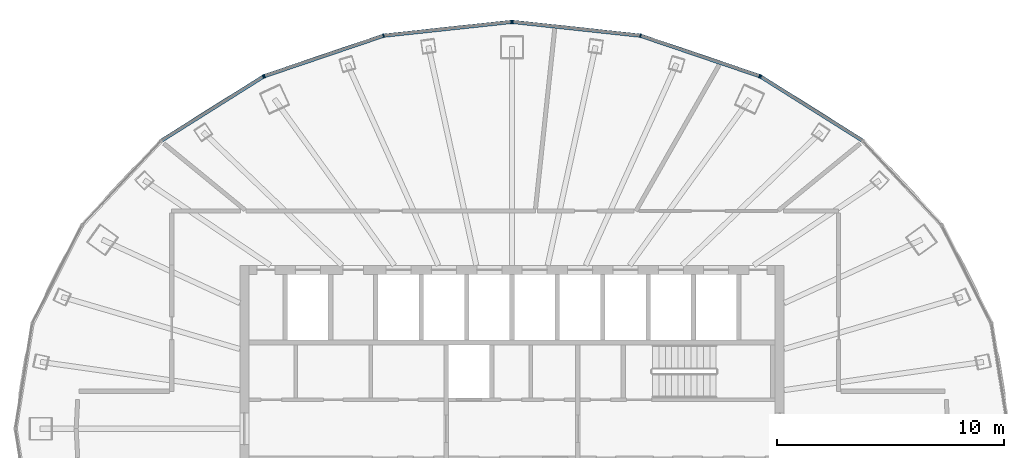
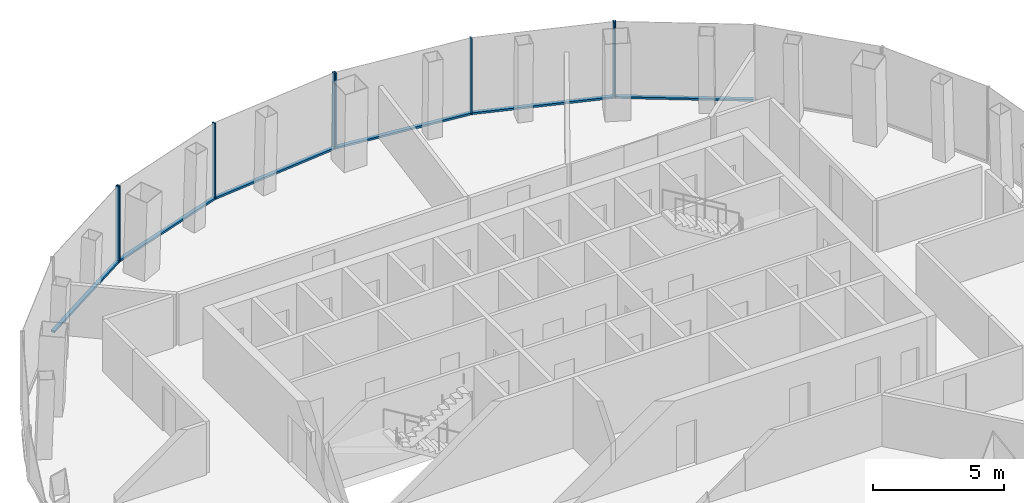
# One storey, part 6 of 11: 14 members, 4 elements without a shape of their own.
"""IFC4 building model written with IfcOpenShell, lengths in metres."""

from ifc_helpers import new_model, si_unit, direction, frame, origin, origin_2d, place, context, subcontext, project, spatial, rectangle, extrude, material, layer, layer_set, material_profile, profile_set, type_object, element, aggregate, save


model = new_model("IFC4")

# Units and contexts
model_context = context("Model", 3, precision=1e-05, world=origin(), true_north=direction((0.0, 1.0)))
body_context = subcontext(model_context, "Body", "Model", "MODEL_VIEW")
ifc_project = project(units=[si_unit("LENGTHUNIT", "METRE"), si_unit("AREAUNIT", "SQUARE_METRE"), si_unit("VOLUMEUNIT", "CUBIC_METRE"), si_unit("PLANEANGLEUNIT", "RADIAN"), si_unit("MASSUNIT", "GRAM", prefix="KILO")], contexts=[model_context])

# Site, building, storey
site_placement = place(None, origin())
site = spatial("IfcSite", under=ifc_project, at=site_placement, CompositionType="ELEMENT")
building_placement = place(site_placement, origin())
building = spatial("IfcBuilding", under=site, at=building_placement, Name="Siaravel Broadcast Tower", CompositionType="ELEMENT")
storey_placement = place(building_placement, frame((0.0, 0.0, 220.800048828125)))
storey = spatial("IfcBuildingStorey", under=building, at=storey_placement, Name="L53", CompositionType="ELEMENT", Elevation=220.800048828125)

# Curtain wall, member
ifc_material = material(Name="Aluminium 6063-T6", Category="aluminium")
ifc_layer = layer(ifc_material, 0.159912109375)
ifc_layer_set = layer_set([ifc_layer], Name="Aluminium 6063-T6")
curtain_wall_type = type_object("IfcCurtainWallType", Name="Unitised curtain wall, zone 4", PredefinedType="NOTDEFINED", material=ifc_layer_set)
curtain_wall_1_placement = place(storey_placement, origin())
curtain_wall_1 = element("IfcCurtainWall", 1, at=curtain_wall_1_placement, inside=storey, type_object=curtain_wall_type, Name="L53 Unitised curtain wall, zone 4 02", PredefinedType="NOTDEFINED")
ifc_material_profile_1 = material_profile(ifc_material, rectangle(XDim=0.159912109375, YDim=0.054931640625, at=origin_2d()))
ifc_profile_set_1 = profile_set([ifc_material_profile_1], Name="Aluminium 6063-T6")
member_type_1 = type_object("IfcMemberType", Name="CW-Z4 mullion", PredefinedType="MULLION", material=ifc_profile_set_1)
member_1_placement = place(storey_placement, frame((10.962890625, 15.5205078125, 0.0), z_axis=(0.0, 0.0, 1.0), x_axis=(-0.53215013, -0.84665001, 0.0)))
member_1 = element("IfcMember", 2, at=member_1_placement, type_object=member_type_1, Name="CW-Z4 mullion 3", PredefinedType="MULLION", context=body_context, shape_type="SweptSolid", body=[
    extrude(rectangle(XDim=0.159912109375, YDim=0.054931640625, at=origin_2d()), origin(), (0.0, 0.0, 1.0), 3.550048828125),
])

# Curtain wall, members
curtain_wall_2_placement = place(storey_placement, origin())
curtain_wall_2 = element("IfcCurtainWall", 3, at=curtain_wall_2_placement, inside=storey, type_object=curtain_wall_type, Name="L53 Unitised curtain wall, zone 4 03", PredefinedType="NOTDEFINED")
member_2_placement = place(storey_placement, frame((10.913330078125, 15.5439453125, 0.0), z_axis=(0.0, 0.0, 1.0), x_axis=(-0.321301242, -0.946977039, 0.0)))
member_2 = element("IfcMember", 4, at=member_2_placement, type_object=member_type_1, Name="CW-Z4 mullion 1", PredefinedType="MULLION", context=body_context, shape_type="SweptSolid", body=[
    extrude(rectangle(XDim=0.159912109375, YDim=0.054931640625, at=origin_2d()), origin(), (0.0, 0.0, 1.0), 3.550048828125),
])
member_3_placement = place(storey_placement, frame((5.662353515625, 17.32568359375, 0.0), z_axis=(0.0, 0.0, 1.0), x_axis=(-0.215558493, -0.97649093, 0.0)))
member_3 = element("IfcMember", 5, at=member_3_placement, type_object=member_type_1, Name="CW-Z4 mullion 2", PredefinedType="MULLION", context=body_context, shape_type="SweptSolid", body=[
    extrude(rectangle(XDim=0.159912109375, YDim=0.054931640625, at=origin_2d()), origin(), (0.0, 0.0, 1.0), 3.550048828125),
])
member_4_placement = place(storey_placement, frame((0.02734375, 17.933349609375, 0.0), z_axis=(0.0, 0.0, 1.0), x_axis=(-0.107217705, -0.994235568, 0.0)))
member_4 = element("IfcMember", 6, at=member_4_placement, type_object=member_type_1, Name="CW-Z4 mullion 3", PredefinedType="MULLION", context=body_context, shape_type="SweptSolid", body=[
    extrude(rectangle(XDim=0.159912109375, YDim=0.054931640625, at=origin_2d()), origin(), (0.0, 0.0, 1.0), 3.550048828125),
])

curtain_wall_3_placement = place(storey_placement, origin())
curtain_wall_3 = element("IfcCurtainWall", 7, at=curtain_wall_3_placement, inside=storey, type_object=curtain_wall_type, Name="L53 Unitised curtain wall, zone 4 04", PredefinedType="NOTDEFINED")
member_5_placement = place(storey_placement, frame((-0.02734375, 17.933349609375, 0.0), z_axis=(0.0, 0.0, 1.0), x_axis=(0.107217705, -0.994235568, 0.0)))
member_5 = element("IfcMember", 8, at=member_5_placement, type_object=member_type_1, Name="CW-Z4 mullion 1", PredefinedType="MULLION", context=body_context, shape_type="SweptSolid", body=[
    extrude(rectangle(XDim=0.159912109375, YDim=0.054931640625, at=origin_2d()), origin(), (0.0, 0.0, 1.0), 3.550048828125),
])
member_6_placement = place(storey_placement, frame((-5.662353515625, 17.32568359375, 0.0), z_axis=(0.0, 0.0, 1.0), x_axis=(0.215558493, -0.97649093, 0.0)))
member_6 = element("IfcMember", 9, at=member_6_placement, type_object=member_type_1, Name="CW-Z4 mullion 2", PredefinedType="MULLION", context=body_context, shape_type="SweptSolid", body=[
    extrude(rectangle(XDim=0.159912109375, YDim=0.054931640625, at=origin_2d()), origin(), (0.0, 0.0, 1.0), 3.550048828125),
])
member_7_placement = place(storey_placement, frame((-10.913330078125, 15.5439453125, 0.0), z_axis=(0.0, 0.0, 1.0), x_axis=(0.321301242, -0.946977039, 0.0)))
member_7 = element("IfcMember", 10, at=member_7_placement, type_object=member_type_1, Name="CW-Z4 mullion 3", PredefinedType="MULLION", context=body_context, shape_type="SweptSolid", body=[
    extrude(rectangle(XDim=0.159912109375, YDim=0.054931640625, at=origin_2d()), origin(), (0.0, 0.0, 1.0), 3.550048828125),
])

# Curtain wall, member
curtain_wall_4_placement = place(storey_placement, origin())
curtain_wall_4 = element("IfcCurtainWall", 11, at=curtain_wall_4_placement, inside=storey, type_object=curtain_wall_type, Name="L53 Unitised curtain wall, zone 4 05", PredefinedType="NOTDEFINED")
member_8_placement = place(storey_placement, frame((-10.962890625, 15.5205078125, 0.0), z_axis=(0.0, 0.0, 1.0), x_axis=(0.53215013, -0.84665001, 0.0)))
member_8 = element("IfcMember", 12, at=member_8_placement, type_object=member_type_1, Name="CW-Z4 mullion 1", PredefinedType="MULLION", context=body_context, shape_type="SweptSolid", body=[
    extrude(rectangle(XDim=0.159912109375, YDim=0.054931640625, at=origin_2d()), origin(), (0.0, 0.0, 1.0), 3.550048828125),
])

# Member
ifc_material_profile_2 = material_profile(ifc_material, rectangle(XDim=0.159912109375, YDim=0.090087890625, at=origin_2d()))
ifc_profile_set_2 = profile_set([ifc_material_profile_2], Name="Aluminium 6063-T6")
member_type_2 = type_object("IfcMemberType", Name="CW-Z4 transom", PredefinedType="USERDEFINED", material=ifc_profile_set_2)
member_9_placement = place(storey_placement, frame((15.448974609375, 12.70068359375, 0.044921875), z_axis=(-0.846642511, 0.53216206, 0.0), x_axis=(-0.53216206, -0.846642511, 0.0)))
member_9 = element("IfcMember", 13, at=member_9_placement, type_object=member_type_2, Name="CW-Z4 transom 2", ObjectType="TRANSOM", PredefinedType="USERDEFINED", context=body_context, shape_type="SweptSolid", body=[
    extrude(rectangle(XDim=0.159912109375, YDim=0.090087890625, at=origin_2d()), origin(), (0.0, 0.0, 1.0), 5.271240234375),
])

aggregate(curtain_wall_1, [member_1, member_9])

member_10_placement = place(storey_placement, frame((10.887451171875, 15.552978515625, 0.044921875), z_axis=(-0.946979908, 0.321292784, 0.0), x_axis=(-0.321292784, -0.946979908, 0.0)))
member_10 = element("IfcMember", 14, at=member_10_placement, type_object=member_type_2, Name="CW-Z4 transom 1", ObjectType="TRANSOM", PredefinedType="USERDEFINED", context=body_context, shape_type="SweptSolid", body=[
    extrude(rectangle(XDim=0.159912109375, YDim=0.090087890625, at=origin_2d()), origin(), (0.0, 0.0, 1.0), 5.489990234375),
])

member_11_placement = place(storey_placement, frame((5.635009765625, 17.32861328125, 0.044921875), z_axis=(-0.994235028, 0.107222704, 0.0), x_axis=(-0.107222704, -0.994235028, 0.0)))
member_11 = element("IfcMember", 15, at=member_11_placement, type_object=member_type_2, Name="CW-Z4 transom 2", ObjectType="TRANSOM", PredefinedType="USERDEFINED", context=body_context, shape_type="SweptSolid", body=[
    extrude(rectangle(XDim=0.159912109375, YDim=0.090087890625, at=origin_2d()), origin(), (0.0, 0.0, 1.0), 5.61279296875),
])

aggregate(curtain_wall_2, [member_2, member_3, member_4, member_10, member_11])

member_12_placement = place(storey_placement, frame((-0.0546875, 17.930419921875, 0.044921875), z_axis=(-0.994235028, -0.107222704, 0.0), x_axis=(0.107222704, -0.994235028, 0.0)))
member_12 = element("IfcMember", 16, at=member_12_placement, type_object=member_type_2, Name="CW-Z4 transom 1", ObjectType="TRANSOM", PredefinedType="USERDEFINED", context=body_context, shape_type="SweptSolid", body=[
    extrude(rectangle(XDim=0.159912109375, YDim=0.090087890625, at=origin_2d()), origin(), (0.0, 0.0, 1.0), 5.61279296875),
])

member_13_placement = place(storey_placement, frame((-5.6884765625, 17.31689453125, 0.044921875), z_axis=(-0.946979908, -0.321292784, 0.0), x_axis=(0.321292784, -0.946979908, 0.0)))
member_13 = element("IfcMember", 17, at=member_13_placement, type_object=member_type_2, Name="CW-Z4 transom 2", ObjectType="TRANSOM", PredefinedType="USERDEFINED", context=body_context, shape_type="SweptSolid", body=[
    extrude(rectangle(XDim=0.159912109375, YDim=0.090087890625, at=origin_2d()), origin(), (0.0, 0.0, 1.0), 5.489990234375),
])

aggregate(curtain_wall_3, [member_5, member_6, member_7, member_12, member_13])

member_14_placement = place(storey_placement, frame((-10.986083984375, 15.505859375, 0.044921875), z_axis=(-0.846642511, -0.53216206, 0.0), x_axis=(0.53216206, -0.846642511, 0.0)))
member_14 = element("IfcMember", 18, at=member_14_placement, type_object=member_type_2, Name="CW-Z4 transom 1", ObjectType="TRANSOM", PredefinedType="USERDEFINED", context=body_context, shape_type="SweptSolid", body=[
    extrude(rectangle(XDim=0.159912109375, YDim=0.090087890625, at=origin_2d()), origin(), (0.0, 0.0, 1.0), 5.271240234375),
])

aggregate(curtain_wall_4, [member_8, member_14])

save(model, "model.ifc")
